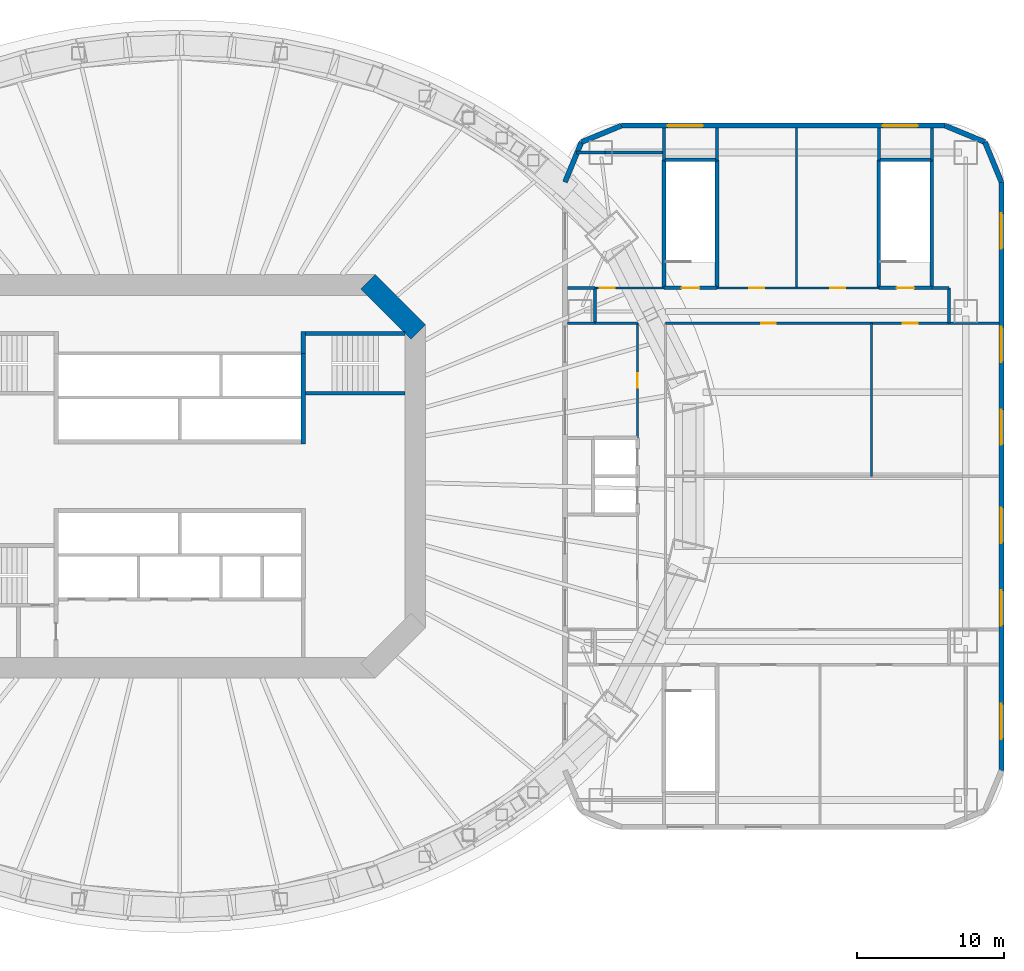
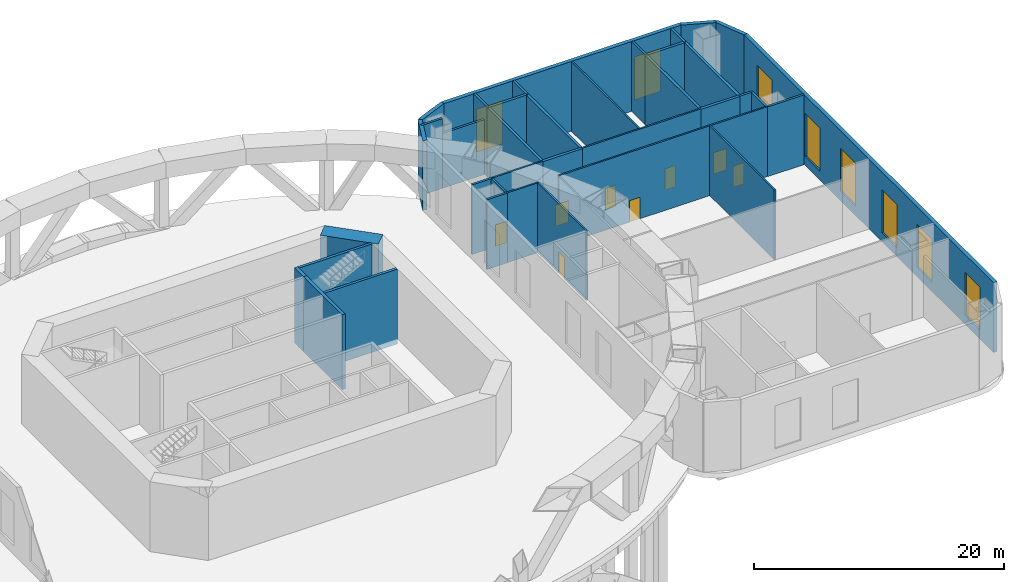
# One storey, part 11 of 13: 38 walls, 8 doors, 8 windows, 16 openings.
"""IFC4 building model written with IfcOpenShell, lengths in metres."""

from ifc_helpers import new_model, si_unit, direction, frame, frame_2d, origin, place, context, subcontext, project, spatial, rectangle, extrude, material, layer, layer_set, type_object, element, fill, save


model = new_model("IFC4")

# Units and contexts
model_context = context("Model", 3, precision=1e-05, world=origin(), true_north=direction((0.0, 1.0)))
body_context = subcontext(model_context, "Body", "Model", "MODEL_VIEW")
ifc_project = project(units=[si_unit("LENGTHUNIT", "METRE"), si_unit("AREAUNIT", "SQUARE_METRE"), si_unit("VOLUMEUNIT", "CUBIC_METRE"), si_unit("PLANEANGLEUNIT", "RADIAN"), si_unit("MASSUNIT", "GRAM", prefix="KILO")], contexts=[model_context])

# Site, building, storey
site_placement = place(None, origin())
site = spatial("IfcSite", under=ifc_project, at=site_placement, CompositionType="ELEMENT")
building_placement = place(site_placement, origin())
building = spatial("IfcBuilding", under=site, at=building_placement, Name="Marenthal Gate Tower", CompositionType="ELEMENT")
storey_placement = place(building_placement, frame((0.0, 0.0, 26.0)))
storey = spatial("IfcBuildingStorey", under=building, at=storey_placement, Name="L03", CompositionType="ELEMENT", Elevation=26.0)

# Walls
ifc_material_1 = material(Name="Concrete 60 MPa", Category="concrete")
ifc_layer_1 = layer(ifc_material_1, 1.39990234375)
ifc_layer_set_1 = layer_set([ifc_layer_1], Name="Core shear wall 1400")
wall_type_1 = type_object("IfcWallType", Name="Core shear wall 1400", PredefinedType="SHEAR", material=ifc_layer_set_1)
wall_1_placement = place(storey_placement, frame((16.205078125, 9.794921875, -0.5), z_axis=(0.0, 0.0, 1.0), x_axis=(-0.707106781187, 0.707106781187, 0.0)))
element("IfcWall", 1, at=wall_1_placement, inside=storey, type_object=wall_type_1, Name="Core wall 03", PredefinedType="SHEAR", context=body_context, shape_type="SweptSolid", body=[
    extrude(rectangle(XDim=4.82275390625, YDim=1.39990234375, at=frame_2d((2.411376953125, 0.0))), origin(), (0.0, 0.0, 1.0), 7.320068359375),
])
ifc_material_2 = material(Name="Concrete 50 MPa", Category="concrete")
ifc_layer_2 = layer(ifc_material_2, 0.300048828125)
ifc_layer_set_2 = layer_set([ifc_layer_2], Name="Hoistway shear wall 300")
wall_type_2 = type_object("IfcWallType", Name="Hoistway shear wall 300", PredefinedType="SHEAR", material=ifc_layer_set_2)
wall_2_placement = place(storey_placement, frame((8.39990234375, 2.199951171875, -0.5), z_axis=(0.0, 0.0, 1.0), x_axis=(0.0, 1.0, 0.0)))
element("IfcWall", 2, at=wall_2_placement, inside=storey, type_object=wall_type_2, Name="Hoistway wall 34", PredefinedType="SHEAR", context=body_context, shape_type="SweptSolid", body=[
    extrude(rectangle(XDim=6.150146484375, YDim=0.300048828125, at=frame_2d((3.0751953125, 0.0))), origin(), (0.0, 0.0, 1.0), 7.320068359375),
])
ifc_material_3 = material(Name="Gypsum board on steel studs", Category="steel")
ifc_layer_3 = layer(ifc_material_3, 0.14990234375)
ifc_layer_set_3 = layer_set([ifc_layer_3], Name="Partition 150")
wall_type_3 = type_object("IfcWallType", Name="Partition 150", PredefinedType="PARTITIONING", material=ifc_layer_set_3)
wall_3_placement = place(storey_placement, frame((28.199951171875, 10.39990234375, 0.0), z_axis=(0.0, 0.0, 1.0), x_axis=(1.0, 0.0, 0.0)))
element("IfcWall", 3, at=wall_3_placement, inside=storey, type_object=wall_type_3, Name="Partition wall 58", PredefinedType="PARTITIONING", context=body_context, shape_type="SweptSolid", body=[
    extrude(rectangle(XDim=2.905029296875, YDim=0.14990234375, at=frame_2d((1.45263671875, 0.0))), origin(), (0.0, 0.0, 1.0), 6.820068359375),
])

# Wall, openings, doors
wall_4_placement = place(storey_placement, frame((32.9951171875, 10.39990234375, 0.0), z_axis=(0.0, 0.0, 1.0), x_axis=(1.0, 0.0, 0.0)))
wall_4 = element("IfcWall", 4, at=wall_4_placement, inside=storey, type_object=wall_type_3, Name="Partition wall 59", PredefinedType="PARTITIONING", context=body_context, shape_type="SweptSolid", body=[
    extrude(rectangle(XDim=19.2548828125, YDim=0.14990234375, at=frame_2d((9.62744140625, 0.0))), origin(), (0.0, 0.0, 1.0), 6.820068359375),
])
opening_1_placement = place(wall_4_placement, frame((6.5048828125, 0.0, 0.0)))
opening_1 = element("IfcOpeningElement", 5, at=opening_1_placement, cuts=wall_4, Name="Opening D005.03", PredefinedType="OPENING", context=body_context, shape_type="SweptSolid", body=[
    extrude(rectangle(XDim=1.0, YDim=2.10009765625, at=frame_2d((0.5, 1.050048828125))), frame((0.0, 0.0849609375, 0.0), z_axis=(0.0, -1.0, 0.0), x_axis=(1.0, 0.0, 0.0)), (0.0, 0.0, 1.0), 0.169921875),
])
opening_2_placement = place(wall_4_placement, frame((16.132568359375, 0.0, 0.0)))
opening_2 = element("IfcOpeningElement", 6, at=opening_2_placement, cuts=wall_4, Name="Opening D005.04", PredefinedType="OPENING", context=body_context, shape_type="SweptSolid", body=[
    extrude(rectangle(XDim=1.0, YDim=2.10009765625, at=frame_2d((0.5, 1.050048828125))), frame((0.0, 0.0849609375, 0.0), z_axis=(0.0, -1.0, 0.0), x_axis=(1.0, 0.0, 0.0)), (0.0, 0.0, 1.0), 0.169921875),
])
ifc_material_4 = material(Name="Steel fire door", Category="steel")
door_type_1 = type_object("IfcDoorType", Name="Fire door FD 45 1000 x 2100", OperationType="NOTDEFINED", PredefinedType="DOOR", material=ifc_material_4)
door_1_placement = place(opening_1_placement, frame((1.0, 0.0, 0.0), z_axis=(0.0, 0.0, 1.0), x_axis=(-1.0, 0.0, 0.0)))
door_1 = element("IfcDoor", 7, at=door_1_placement, inside=storey, type_object=door_type_1, Name="Door D005.03", OperationType="SINGLE_SWING_LEFT", OverallHeight=2.10009765625, OverallWidth=1.0, PredefinedType="DOOR", context=body_context, shape_type="SweptSolid", body=[
    extrude(rectangle(XDim=1.0, YDim=2.10009765625, at=frame_2d((0.5, 1.050048828125))), frame((0.0, 0.02490234375, 0.0), z_axis=(0.0, -1.0, 0.0), x_axis=(1.0, 0.0, 0.0)), (0.0, 0.0, 1.0), 0.050048828125),
])
fill(opening_1, door_1)
door_2_placement = place(opening_2_placement, frame((1.0, 0.0, 0.0), z_axis=(0.0, 0.0, 1.0), x_axis=(-1.0, 0.0, 0.0)))
door_2 = element("IfcDoor", 8, at=door_2_placement, inside=storey, type_object=door_type_1, Name="Door D005.04", OperationType="SINGLE_SWING_LEFT", OverallHeight=2.10009765625, OverallWidth=1.0, PredefinedType="DOOR", context=body_context, shape_type="SweptSolid", body=[
    extrude(rectangle(XDim=1.0, YDim=2.10009765625, at=frame_2d((0.5, 1.050048828125))), frame((0.0, 0.02490234375, 0.0), z_axis=(0.0, -1.0, 0.0), x_axis=(1.0, 0.0, 0.0)), (0.0, 0.0, 1.0), 0.050048828125),
])
fill(opening_2, door_2)

# Wall, opening, door
wall_5_placement = place(storey_placement, frame((28.199951171875, 12.800048828125, 0.0), z_axis=(0.0, 0.0, 1.0), x_axis=(1.0, 0.0, 0.0)))
wall_5 = element("IfcWall", 9, at=wall_5_placement, inside=storey, type_object=wall_type_3, Name="Partition wall 62", PredefinedType="PARTITIONING", context=body_context, shape_type="SweptSolid", body=[
    extrude(rectangle(XDim=4.705078125, YDim=0.14990234375, at=frame_2d((2.3525390625, 0.0))), origin(), (0.0, 0.0, 1.0), 6.820068359375),
])
opening_3_placement = place(wall_5_placement, frame((0.347412109375, 0.0, 0.0)))
opening_3 = element("IfcOpeningElement", 10, at=opening_3_placement, cuts=wall_5, Name="Opening D005.10", PredefinedType="OPENING", context=body_context, shape_type="SweptSolid", body=[
    extrude(rectangle(XDim=1.0, YDim=2.10009765625, at=frame_2d((0.5, 1.050048828125))), frame((0.0, 0.0849609375, 0.0), z_axis=(0.0, -1.0, 0.0), x_axis=(1.0, 0.0, 0.0)), (0.0, 0.0, 1.0), 0.169921875),
])
door_3_placement = place(opening_3_placement, origin())
door_3 = element("IfcDoor", 11, at=door_3_placement, inside=storey, type_object=door_type_1, Name="Door D005.10", OperationType="SINGLE_SWING_RIGHT", OverallHeight=2.10009765625, OverallWidth=1.0, PredefinedType="DOOR", context=body_context, shape_type="SweptSolid", body=[
    extrude(rectangle(XDim=1.0, YDim=2.10009765625, at=frame_2d((0.5, 1.050048828125))), frame((0.0, 0.02490234375, 0.0), z_axis=(0.0, -1.0, 0.0), x_axis=(1.0, 0.0, 0.0)), (0.0, 0.0, 1.0), 0.050048828125),
])
fill(opening_3, door_3)

# Wall, openings, doors
wall_6_placement = place(storey_placement, frame((36.4951171875, 12.800048828125, 0.0), z_axis=(0.0, 0.0, 1.0), x_axis=(1.0, 0.0, 0.0)))
wall_6 = element("IfcWall", 12, at=wall_6_placement, inside=storey, type_object=wall_type_3, Name="Partition wall 63", PredefinedType="PARTITIONING", context=body_context, shape_type="SweptSolid", body=[
    extrude(rectangle(XDim=11.009765625, YDim=0.14990234375, at=frame_2d((5.5048828125, 0.0))), origin(), (0.0, 0.0, 1.0), 6.820068359375),
])
opening_4_placement = place(wall_6_placement, frame((2.205078125, 0.0, 0.0)))
opening_4 = element("IfcOpeningElement", 13, at=opening_4_placement, cuts=wall_6, Name="Opening D005.01", PredefinedType="OPENING", context=body_context, shape_type="SweptSolid", body=[
    extrude(rectangle(XDim=1.0, YDim=2.10009765625, at=frame_2d((0.5, 1.050048828125))), frame((0.0, 0.0849609375, 0.0), z_axis=(0.0, -1.0, 0.0), x_axis=(1.0, 0.0, 0.0)), (0.0, 0.0, 1.0), 0.169921875),
])
opening_5_placement = place(wall_6_placement, frame((7.705078125, 0.0, 0.0)))
opening_5 = element("IfcOpeningElement", 14, at=opening_5_placement, cuts=wall_6, Name="Opening D005.02", PredefinedType="OPENING", context=body_context, shape_type="SweptSolid", body=[
    extrude(rectangle(XDim=1.0, YDim=2.10009765625, at=frame_2d((0.5, 1.050048828125))), frame((0.0, 0.0849609375, 0.0), z_axis=(0.0, -1.0, 0.0), x_axis=(1.0, 0.0, 0.0)), (0.0, 0.0, 1.0), 0.169921875),
])
door_4_placement = place(opening_4_placement, origin())
door_4 = element("IfcDoor", 15, at=door_4_placement, inside=storey, type_object=door_type_1, Name="Door D005.01", OperationType="SINGLE_SWING_RIGHT", OverallHeight=2.10009765625, OverallWidth=1.0, PredefinedType="DOOR", context=body_context, shape_type="SweptSolid", body=[
    extrude(rectangle(XDim=1.0, YDim=2.10009765625, at=frame_2d((0.5, 1.050048828125))), frame((0.0, 0.02490234375, 0.0), z_axis=(0.0, -1.0, 0.0), x_axis=(1.0, 0.0, 0.0)), (0.0, 0.0, 1.0), 0.050048828125),
])
fill(opening_4, door_4)
door_5_placement = place(opening_5_placement, origin())
door_5 = element("IfcDoor", 16, at=door_5_placement, inside=storey, type_object=door_type_1, Name="Door D005.02", OperationType="SINGLE_SWING_RIGHT", OverallHeight=2.10009765625, OverallWidth=1.0, PredefinedType="DOOR", context=body_context, shape_type="SweptSolid", body=[
    extrude(rectangle(XDim=1.0, YDim=2.10009765625, at=frame_2d((0.5, 1.050048828125))), frame((0.0, 0.02490234375, 0.0), z_axis=(0.0, -1.0, 0.0), x_axis=(1.0, 0.0, 0.0)), (0.0, 0.0, 1.0), 0.050048828125),
])
fill(opening_5, door_5)

# Walls
wall_7_placement = place(storey_placement, frame((47.0, 0.0, 0.0), z_axis=(0.0, 0.0, 1.0), x_axis=(0.0, 1.0, 0.0)))
element("IfcWall", 17, at=wall_7_placement, inside=storey, type_object=wall_type_3, Name="Partition wall 64", PredefinedType="PARTITIONING", context=body_context, shape_type="SweptSolid", body=[
    extrude(rectangle(XDim=10.39990234375, YDim=0.14990234375, at=frame_2d((5.199951171875, 0.0))), origin(), (0.0, 0.0, 1.0), 6.820068359375),
])
wall_8_placement = place(storey_placement, frame((41.89990234375, 12.800048828125, 0.0), z_axis=(0.0, 0.0, 1.0), x_axis=(0.0, 1.0, 0.0)))
element("IfcWall", 18, at=wall_8_placement, inside=storey, type_object=wall_type_3, Name="Partition wall 66", PredefinedType="PARTITIONING", context=body_context, shape_type="SweptSolid", body=[
    extrude(rectangle(XDim=10.869873046875, YDim=0.14990234375, at=frame_2d((5.43505859375, 0.0))), origin(), (0.0, 0.0, 1.0), 6.820068359375),
])

# Wall, opening, door
wall_9_placement = place(storey_placement, frame((31.10009765625, 2.594970703125, 0.0), z_axis=(0.0, 0.0, 1.0), x_axis=(0.0, 1.0, 0.0)))
wall_9 = element("IfcWall", 19, at=wall_9_placement, inside=storey, type_object=wall_type_3, Name="Partition wall 69", PredefinedType="PARTITIONING", context=body_context, shape_type="SweptSolid", body=[
    extrude(rectangle(XDim=7.804931640625, YDim=0.14990234375, at=frame_2d((3.90234375, 0.0))), origin(), (0.0, 0.0, 1.0), 6.820068359375),
])
opening_6_placement = place(wall_9_placement, frame((3.405029296875, 0.0, 0.0)))
opening_6 = element("IfcOpeningElement", 20, at=opening_6_placement, cuts=wall_9, Name="Opening D005.08", PredefinedType="OPENING", context=body_context, shape_type="SweptSolid", body=[
    extrude(rectangle(XDim=1.0, YDim=2.10009765625, at=frame_2d((0.5, 1.050048828125))), frame((0.0, 0.0849609375, 0.0), z_axis=(0.0, -1.0, 0.0), x_axis=(1.0, 0.0, 0.0)), (0.0, 0.0, 1.0), 0.169921875),
])
door_6_placement = place(opening_6_placement, origin())
door_6 = element("IfcDoor", 21, at=door_6_placement, inside=storey, type_object=door_type_1, Name="Door D005.08", OperationType="SINGLE_SWING_RIGHT", OverallHeight=2.10009765625, OverallWidth=1.0, PredefinedType="DOOR", context=body_context, shape_type="SweptSolid", body=[
    extrude(rectangle(XDim=1.0, YDim=2.10009765625, at=frame_2d((0.5, 1.050048828125))), frame((0.0, 0.02490234375, 0.0), z_axis=(0.0, -1.0, 0.0), x_axis=(1.0, 0.0, 0.0)), (0.0, 0.0, 1.0), 0.050048828125),
])
fill(opening_6, door_6)

# Walls
ifc_material_5 = material(Name="Gypsum board on steel studs", Category="steel")
ifc_layer_4 = layer(ifc_material_5, 0.199951171875)
ifc_layer_set_4 = layer_set([ifc_layer_4], Name="Partition 200")
wall_type_4 = type_object("IfcWallType", Name="Partition 200", PredefinedType="PARTITIONING", material=ifc_layer_set_4)
wall_10_placement = place(storey_placement, frame((26.330078125, 10.39990234375, 0.0), z_axis=(0.0, 0.0, 1.0), x_axis=(1.0, 0.0, 0.0)))
element("IfcWall", 22, at=wall_10_placement, inside=storey, type_object=wall_type_4, Name="Partition wall 92", PredefinedType="PARTITIONING", context=body_context, shape_type="SweptSolid", body=[
    extrude(rectangle(XDim=1.873779296875, YDim=0.199951171875, at=frame_2d((0.93701171875, 0.0))), origin(), (0.0, 0.0, 1.0), 6.820068359375),
])
wall_11_placement = place(storey_placement, frame((52.2451171875, 10.39990234375, 0.0), z_axis=(0.0, 0.0, 1.0), x_axis=(1.0, 0.0, 0.0)))
element("IfcWall", 23, at=wall_11_placement, inside=storey, type_object=wall_type_4, Name="Partition wall 93", PredefinedType="PARTITIONING", context=body_context, shape_type="SweptSolid", body=[
    extrude(rectangle(XDim=3.4248046875, YDim=0.199951171875, at=frame_2d((1.71240234375, 0.0))), origin(), (0.0, 0.0, 1.0), 6.820068359375),
])
wall_12_placement = place(storey_placement, frame((26.330078125, 12.800048828125, 0.0), z_axis=(0.0, 0.0, 1.0), x_axis=(1.0, 0.0, 0.0)))
element("IfcWall", 24, at=wall_12_placement, inside=storey, type_object=wall_type_4, Name="Partition wall 96", PredefinedType="PARTITIONING", context=body_context, shape_type="SweptSolid", body=[
    extrude(rectangle(XDim=1.873779296875, YDim=0.199951171875, at=frame_2d((0.93701171875, 0.0))), origin(), (0.0, 0.0, 1.0), 6.820068359375),
])
wall_13_placement = place(storey_placement, frame((51.094970703125, 12.800048828125, 0.0), z_axis=(0.0, 0.0, 1.0), x_axis=(1.0, 0.0, 0.0)))
element("IfcWall", 25, at=wall_13_placement, inside=storey, type_object=wall_type_4, Name="Partition wall 97", PredefinedType="PARTITIONING", context=body_context, shape_type="SweptSolid", body=[
    extrude(rectangle(XDim=1.155029296875, YDim=0.199951171875, at=frame_2d((0.57763671875, 0.0))), origin(), (0.0, 0.0, 1.0), 6.820068359375),
])
wall_14_placement = place(storey_placement, frame((26.951904296875, 22.0, 0.0), z_axis=(0.0, 0.0, 1.0), x_axis=(1.0, 0.0, 0.0)))
element("IfcWall", 26, at=wall_14_placement, inside=storey, type_object=wall_type_4, Name="Partition wall 99", PredefinedType="PARTITIONING", context=body_context, shape_type="SweptSolid", body=[
    extrude(rectangle(XDim=1.947998046875, YDim=0.199951171875, at=frame_2d((0.97412109375, 0.0))), origin(), (0.0, 0.0, 1.0), 6.820068359375),
])
wall_15_placement = place(storey_placement, frame((28.89990234375, 22.0, 0.0), z_axis=(0.0, 0.0, 1.0), x_axis=(1.0, 0.0, 0.0)))
element("IfcWall", 27, at=wall_15_placement, inside=storey, type_object=wall_type_4, Name="Partition wall 153", PredefinedType="PARTITIONING", context=body_context, shape_type="SweptSolid", body=[
    extrude(rectangle(XDim=4.0, YDim=0.199951171875, at=frame_2d((2.0, 0.0))), origin(), (0.0, 0.0, 1.0), 5.360107421875),
])
wall_16_placement = place(storey_placement, frame((52.25, 10.39990234375, 0.0), z_axis=(0.0, 0.0, 1.0), x_axis=(0.0, 1.0, 0.0)))
element("IfcWall", 28, at=wall_16_placement, inside=storey, type_object=wall_type_4, Name="Partition wall 02", PredefinedType="PARTITIONING", context=body_context, shape_type="SweptSolid", body=[
    extrude(rectangle(XDim=2.400146484375, YDim=0.199951171875, at=frame_2d((1.2001953125, 0.0))), origin(), (0.0, 0.0, 1.0), 6.820068359375),
])
for number, where, z_axis, x_axis, name in (
    (29, (51.10009765625, 21.49609375, 0.0), (0.0, 0.0, 1.0), (0.0, 1.0, 0.0), "Partition wall 03"),
    (30, (47.5, 21.49609375, 0.0), (0.0, 0.0, 1.0), (0.0, 1.0, 0.0), "Partition wall 04"),
    (31, (36.5, 21.49609375, 0.0), (0.0, 0.0, 1.0), (0.0, 1.0, 0.0), "Partition wall 06"),
    (32, (32.89990234375, 21.49609375, 0.0), (0.0, 0.0, 1.0), (0.0, 1.0, 0.0), "Partition wall 08"),
):
    element("IfcWall", number, at=place(storey_placement, frame(where, z_axis=z_axis, x_axis=x_axis)), inside=storey, type_object=wall_type_4, Name=name, PredefinedType="PARTITIONING", context=body_context, shape_type="SweptSolid", body=[
        extrude(rectangle(XDim=2.173828125, YDim=0.199951171875, at=frame_2d((1.0869140625, 0.0))), origin(), (0.0, 0.0, 1.0), 6.820068359375),
    ])
wall_17_placement = place(storey_placement, frame((28.199951171875, 10.39990234375, 0.0), z_axis=(0.0, 0.0, 1.0), x_axis=(0.0, 1.0, 0.0)))
element("IfcWall", 33, at=wall_17_placement, inside=storey, type_object=wall_type_4, Name="Partition wall 10", PredefinedType="PARTITIONING", context=body_context, shape_type="SweptSolid", body=[
    extrude(rectangle(XDim=2.400146484375, YDim=0.199951171875, at=frame_2d((1.2001953125, 0.0))), origin(), (0.0, 0.0, 1.0), 6.820068359375),
])
ifc_material_6 = material(Name="Concrete 50 MPa", Category="concrete")
ifc_layer_5 = layer(ifc_material_6, 0.25)
ifc_layer_set_5 = layer_set([ifc_layer_5], Name="Stair shear wall 250")
wall_type_5 = type_object("IfcWallType", Name="Stair shear wall 250", PredefinedType="SHEAR", material=ifc_layer_set_5)
for number, where, z_axis, x_axis, name in (
    (34, (8.550048828125, 5.64990234375, -0.5), (0.0, 0.0, 1.0), (1.0, 0.0, 0.0), "Stair wall 17"),
    (35, (8.550048828125, 9.699951171875, -0.5), (0.0, 0.0, 1.0), (1.0, 0.0, 0.0), "Stair wall 20"),
):
    element("IfcWall", number, at=place(storey_placement, frame(where, z_axis=z_axis, x_axis=x_axis)), inside=storey, type_object=wall_type_5, Name=name, PredefinedType="SHEAR", context=body_context, shape_type="SweptSolid", body=[
        extrude(rectangle(XDim=6.75, YDim=0.25, at=frame_2d((3.375, 0.0))), origin(), (0.0, 0.0, 1.0), 7.320068359375),
    ])

# Wall, opening, door
wall_18_placement = place(storey_placement, frame((32.89501953125, 12.800048828125, 0.0), z_axis=(0.0, 0.0, 1.0), x_axis=(1.0, 0.0, 0.0)))
wall_18 = element("IfcWall", 36, at=wall_18_placement, inside=storey, type_object=wall_type_5, Name="Stair wall 28", PredefinedType="SHEAR", context=body_context, shape_type="SweptSolid", body=[
    extrude(rectangle(XDim=3.60986328125, YDim=0.25, at=frame_2d((1.804931640625, 0.0))), origin(), (0.0, 0.0, 1.0), 6.820068359375),
])
opening_7_placement = place(wall_18_placement, frame((1.205078125, 0.0, 0.0)))
opening_7 = element("IfcOpeningElement", 37, at=opening_7_placement, cuts=wall_18, Name="Opening D001.02", PredefinedType="OPENING", context=body_context, shape_type="SweptSolid", body=[
    extrude(rectangle(XDim=1.199951171875, YDim=2.10009765625, at=frame_2d((0.60009765625, 1.050048828125))), frame((0.0, 0.135009765625, 0.0), z_axis=(0.0, -1.0, 0.0), x_axis=(1.0, 0.0, 0.0)), (0.0, 0.0, 1.0), 0.27001953125),
])
ifc_material_7 = material(Name="Steel fire door", Category="steel")
door_type_2 = type_object("IfcDoorType", Name="Fire door FD 90 1200 x 2100", OperationType="NOTDEFINED", PredefinedType="DOOR", material=ifc_material_7)
door_7_placement = place(opening_7_placement, origin())
door_7 = element("IfcDoor", 38, at=door_7_placement, inside=storey, type_object=door_type_2, Name="Door D001.02", OperationType="SINGLE_SWING_RIGHT", OverallHeight=2.10009765625, OverallWidth=1.199951171875, PredefinedType="DOOR", context=body_context, shape_type="SweptSolid", body=[
    extrude(rectangle(XDim=1.199951171875, YDim=2.10009765625, at=frame_2d((0.60009765625, 1.050048828125))), frame((0.0, 0.02490234375, 0.0), z_axis=(0.0, -1.0, 0.0), x_axis=(1.0, 0.0, 0.0)), (0.0, 0.0, 1.0), 0.050048828125),
])
fill(opening_7, door_7)

wall_19_placement = place(storey_placement, frame((47.4951171875, 12.800048828125, 0.0), z_axis=(0.0, 0.0, 1.0), x_axis=(1.0, 0.0, 0.0)))
wall_19 = element("IfcWall", 39, at=wall_19_placement, inside=storey, type_object=wall_type_5, Name="Stair wall 29", PredefinedType="SHEAR", context=body_context, shape_type="SweptSolid", body=[
    extrude(rectangle(XDim=3.60986328125, YDim=0.25, at=frame_2d((1.804931640625, 0.0))), origin(), (0.0, 0.0, 1.0), 6.820068359375),
])
opening_8_placement = place(wall_19_placement, frame((1.205078125, 0.0, 0.0)))
opening_8 = element("IfcOpeningElement", 40, at=opening_8_placement, cuts=wall_19, Name="Opening D001.04", PredefinedType="OPENING", context=body_context, shape_type="SweptSolid", body=[
    extrude(rectangle(XDim=1.199951171875, YDim=2.10009765625, at=frame_2d((0.60009765625, 1.050048828125))), frame((0.0, 0.135009765625, 0.0), z_axis=(0.0, -1.0, 0.0), x_axis=(1.0, 0.0, 0.0)), (0.0, 0.0, 1.0), 0.27001953125),
])
door_8_placement = place(opening_8_placement, origin())
door_8 = element("IfcDoor", 41, at=door_8_placement, inside=storey, type_object=door_type_2, Name="Door D001.04", OperationType="SINGLE_SWING_RIGHT", OverallHeight=2.10009765625, OverallWidth=1.199951171875, PredefinedType="DOOR", context=body_context, shape_type="SweptSolid", body=[
    extrude(rectangle(XDim=1.199951171875, YDim=2.10009765625, at=frame_2d((0.60009765625, 1.050048828125))), frame((0.0, 0.02490234375, 0.0), z_axis=(0.0, -1.0, 0.0), x_axis=(1.0, 0.0, 0.0)), (0.0, 0.0, 1.0), 0.050048828125),
])
fill(opening_8, door_8)

# Walls
for number, where, z_axis, x_axis, name in (
    (42, (32.89990234375, 21.5, 0.0), (0.0, 0.0, 1.0), (1.0, 0.0, 0.0), "Stair wall 32"),
    (43, (47.5, 21.5, 0.0), (0.0, 0.0, 1.0), (1.0, 0.0, 0.0), "Stair wall 33"),
):
    element("IfcWall", number, at=place(storey_placement, frame(where, z_axis=z_axis, x_axis=x_axis)), inside=storey, type_object=wall_type_5, Name=name, PredefinedType="SHEAR", context=body_context, shape_type="SweptSolid", body=[
        extrude(rectangle(XDim=3.60009765625, YDim=0.25, at=frame_2d((1.800048828125, 0.0))), origin(), (0.0, 0.0, 1.0), 6.820068359375),
    ])
for number, where, z_axis, x_axis, name in (
    (44, (51.10009765625, 12.800048828125, 0.0), (0.0, 0.0, 1.0), (0.0, 1.0, 0.0), "Stair wall 34"),
    (45, (47.5, 12.800048828125, 0.0), (0.0, 0.0, 1.0), (0.0, 1.0, 0.0), "Stair wall 35"),
    (46, (36.5, 12.800048828125, 0.0), (0.0, 0.0, 1.0), (0.0, 1.0, 0.0), "Stair wall 37"),
    (47, (32.89990234375, 12.800048828125, 0.0), (0.0, 0.0, 1.0), (0.0, 1.0, 0.0), "Stair wall 39"),
):
    element("IfcWall", number, at=place(storey_placement, frame(where, z_axis=z_axis, x_axis=x_axis)), inside=storey, type_object=wall_type_5, Name=name, PredefinedType="SHEAR", context=body_context, shape_type="SweptSolid", body=[
        extrude(rectangle(XDim=8.699951171875, YDim=0.25, at=frame_2d((4.35009765625, 0.0))), origin(), (0.0, 0.0, 1.0), 6.820068359375),
    ])
ifc_material_8 = material(Name="Concrete 50 MPa", Category="concrete")
ifc_layer_6 = layer(ifc_material_8, 0.300048828125)
ifc_layer_set_6 = layer_set([ifc_layer_6], Name="Stair shear wall 300")
wall_type_6 = type_object("IfcWallType", Name="Stair shear wall 300", PredefinedType="SHEAR", material=ifc_layer_set_6)
wall_20_placement = place(storey_placement, frame((8.39990234375, 8.35009765625, -0.5), z_axis=(0.0, 0.0, 1.0), x_axis=(0.0, 1.0, 0.0)))
element("IfcWall", 48, at=wall_20_placement, inside=storey, type_object=wall_type_6, Name="Stair wall 35", PredefinedType="SHEAR", context=body_context, shape_type="SweptSolid", body=[
    extrude(rectangle(XDim=1.474853515625, YDim=0.300048828125, at=frame_2d((0.7373046875, 0.0))), origin(), (0.0, 0.0, 1.0), 7.320068359375),
])

# Wall, openings, windows
ifc_material_9 = material(Name="Terracotta cladding on insulated concrete-block backing", Category="masonry")
ifc_layer_7 = layer(ifc_material_9, 0.35009765625)
ifc_layer_set_7 = layer_set([ifc_layer_7], Name="Terracotta cladding wall 350")
wall_type_7 = type_object("IfcWallType", Name="Terracotta cladding wall 350", PredefinedType="SOLIDWALL", material=ifc_layer_set_7)
wall_21_placement = place(storey_placement, frame((55.824951171875, -19.988525390625, 0.0), z_axis=(0.0, 0.0, 1.0), x_axis=(0.0, 1.0, 0.0)))
wall_21 = element("IfcWall", 49, at=wall_21_placement, inside=storey, type_object=wall_type_7, Name="Terracotta cladding wall L03 E3", PredefinedType="SOLIDWALL", context=body_context, shape_type="SweptSolid", body=[
    extrude(rectangle(XDim=39.97705078125, YDim=0.35009765625, at=frame_2d((19.988525390625, 0.0))), origin(), (0.0, 0.0, 1.0), 6.820068359375),
])
opening_9_placement = place(wall_21_placement, frame((2.13134765625, 0.0, 0.89990234375)))
opening_9 = element("IfcOpeningElement", 50, at=opening_9_placement, cuts=wall_21, Name="Opening WN4-L03-33", PredefinedType="OPENING", context=body_context, shape_type="SweptSolid", body=[
    extrude(rectangle(XDim=2.39990234375, YDim=4.199951171875, at=frame_2d((1.199951171875, 2.10009765625))), frame((0.0, 0.18505859375, 0.0), z_axis=(0.0, -1.0, 0.0), x_axis=(1.0, 0.0, 0.0)), (0.0, 0.0, 1.0), 0.3701171875),
])
opening_10_placement = place(wall_21_placement, frame((9.83837890625, 0.0, 0.89990234375)))
opening_10 = element("IfcOpeningElement", 51, at=opening_10_placement, cuts=wall_21, Name="Opening WN4-L03-34", PredefinedType="OPENING", context=body_context, shape_type="SweptSolid", body=[
    extrude(rectangle(XDim=2.39990234375, YDim=4.199951171875, at=frame_2d((1.199951171875, 2.10009765625))), frame((0.0, 0.18505859375, 0.0), z_axis=(0.0, -1.0, 0.0), x_axis=(1.0, 0.0, 0.0)), (0.0, 0.0, 1.0), 0.3701171875),
])
opening_11_placement = place(wall_21_placement, frame((15.45703125, 0.0, 0.89990234375)))
opening_11 = element("IfcOpeningElement", 52, at=opening_11_placement, cuts=wall_21, Name="Opening WN4-L03-35", PredefinedType="OPENING", context=body_context, shape_type="SweptSolid", body=[
    extrude(rectangle(XDim=2.39990234375, YDim=4.199951171875, at=frame_2d((1.199951171875, 2.10009765625))), frame((0.0, 0.18505859375, 0.0), z_axis=(0.0, -1.0, 0.0), x_axis=(1.0, 0.0, 0.0)), (0.0, 0.0, 1.0), 0.3701171875),
])
opening_12_placement = place(wall_21_placement, frame((22.119873046875, 0.0, 0.89990234375)))
opening_12 = element("IfcOpeningElement", 53, at=opening_12_placement, cuts=wall_21, Name="Opening WN4-L03-36", PredefinedType="OPENING", context=body_context, shape_type="SweptSolid", body=[
    extrude(rectangle(XDim=2.39990234375, YDim=4.199951171875, at=frame_2d((1.199951171875, 2.10009765625))), frame((0.0, 0.18505859375, 0.0), z_axis=(0.0, -1.0, 0.0), x_axis=(1.0, 0.0, 0.0)), (0.0, 0.0, 1.0), 0.3701171875),
])
opening_13_placement = place(wall_21_placement, frame((27.738525390625, 0.0, 0.89990234375)))
opening_13 = element("IfcOpeningElement", 54, at=opening_13_placement, cuts=wall_21, Name="Opening WN4-L03-37", PredefinedType="OPENING", context=body_context, shape_type="SweptSolid", body=[
    extrude(rectangle(XDim=2.39990234375, YDim=4.199951171875, at=frame_2d((1.199951171875, 2.10009765625))), frame((0.0, 0.18505859375, 0.0), z_axis=(0.0, -1.0, 0.0), x_axis=(1.0, 0.0, 0.0)), (0.0, 0.0, 1.0), 0.3701171875),
])
opening_14_placement = place(wall_21_placement, frame((35.445556640625, 0.0, 0.89990234375)))
opening_14 = element("IfcOpeningElement", 55, at=opening_14_placement, cuts=wall_21, Name="Opening WN4-L03-38", PredefinedType="OPENING", context=body_context, shape_type="SweptSolid", body=[
    extrude(rectangle(XDim=2.39990234375, YDim=4.199951171875, at=frame_2d((1.199951171875, 2.10009765625))), frame((0.0, 0.18505859375, 0.0), z_axis=(0.0, -1.0, 0.0), x_axis=(1.0, 0.0, 0.0)), (0.0, 0.0, 1.0), 0.3701171875),
])
ifc_material_10 = material(Name="Aluminium and laminated impact-rated glass", Category="aluminium")
window_type = type_object("IfcWindowType", Name="Window 2400x4200 impact-rated", PartitioningType="DOUBLE_PANEL_VERTICAL", PredefinedType="WINDOW", material=ifc_material_10)
window_1_placement = place(opening_9_placement, origin())
window_1 = element("IfcWindow", 56, at=window_1_placement, inside=storey, type_object=window_type, Name="Window L03 E3 1", OverallHeight=4.199951171875, OverallWidth=2.39990234375, PartitioningType="SINGLE_PANEL", PredefinedType="WINDOW", context=body_context, shape_type="SweptSolid", body=[
    extrude(rectangle(XDim=2.39990234375, YDim=4.199951171875, at=frame_2d((1.199951171875, 2.10009765625))), frame((0.0, 0.030029296875, 0.0), z_axis=(0.0, -1.0, 0.0), x_axis=(1.0, 0.0, 0.0)), (0.0, 0.0, 1.0), 0.06005859375),
])
fill(opening_9, window_1)
window_2_placement = place(opening_10_placement, origin())
window_2 = element("IfcWindow", 57, at=window_2_placement, inside=storey, type_object=window_type, Name="Window L03 E3 2", OverallHeight=4.199951171875, OverallWidth=2.39990234375, PartitioningType="SINGLE_PANEL", PredefinedType="WINDOW", context=body_context, shape_type="SweptSolid", body=[
    extrude(rectangle(XDim=2.39990234375, YDim=4.199951171875, at=frame_2d((1.199951171875, 2.10009765625))), frame((0.0, 0.030029296875, 0.0), z_axis=(0.0, -1.0, 0.0), x_axis=(1.0, 0.0, 0.0)), (0.0, 0.0, 1.0), 0.06005859375),
])
fill(opening_10, window_2)
window_3_placement = place(opening_11_placement, origin())
window_3 = element("IfcWindow", 58, at=window_3_placement, inside=storey, type_object=window_type, Name="Window L03 E3 3", OverallHeight=4.199951171875, OverallWidth=2.39990234375, PartitioningType="SINGLE_PANEL", PredefinedType="WINDOW", context=body_context, shape_type="SweptSolid", body=[
    extrude(rectangle(XDim=2.39990234375, YDim=4.199951171875, at=frame_2d((1.199951171875, 2.10009765625))), frame((0.0, 0.030029296875, 0.0), z_axis=(0.0, -1.0, 0.0), x_axis=(1.0, 0.0, 0.0)), (0.0, 0.0, 1.0), 0.06005859375),
])
fill(opening_11, window_3)
window_4_placement = place(opening_12_placement, origin())
window_4 = element("IfcWindow", 59, at=window_4_placement, inside=storey, type_object=window_type, Name="Window L03 E3 4", OverallHeight=4.199951171875, OverallWidth=2.39990234375, PartitioningType="SINGLE_PANEL", PredefinedType="WINDOW", context=body_context, shape_type="SweptSolid", body=[
    extrude(rectangle(XDim=2.39990234375, YDim=4.199951171875, at=frame_2d((1.199951171875, 2.10009765625))), frame((0.0, 0.030029296875, 0.0), z_axis=(0.0, -1.0, 0.0), x_axis=(1.0, 0.0, 0.0)), (0.0, 0.0, 1.0), 0.06005859375),
])
fill(opening_12, window_4)
window_5_placement = place(opening_13_placement, origin())
window_5 = element("IfcWindow", 60, at=window_5_placement, inside=storey, type_object=window_type, Name="Window L03 E3 5", OverallHeight=4.199951171875, OverallWidth=2.39990234375, PartitioningType="SINGLE_PANEL", PredefinedType="WINDOW", context=body_context, shape_type="SweptSolid", body=[
    extrude(rectangle(XDim=2.39990234375, YDim=4.199951171875, at=frame_2d((1.199951171875, 2.10009765625))), frame((0.0, 0.030029296875, 0.0), z_axis=(0.0, -1.0, 0.0), x_axis=(1.0, 0.0, 0.0)), (0.0, 0.0, 1.0), 0.06005859375),
])
fill(opening_13, window_5)
window_6_placement = place(opening_14_placement, origin())
window_6 = element("IfcWindow", 61, at=window_6_placement, inside=storey, type_object=window_type, Name="Window L03 E3 6", OverallHeight=4.199951171875, OverallWidth=2.39990234375, PartitioningType="SINGLE_PANEL", PredefinedType="WINDOW", context=body_context, shape_type="SweptSolid", body=[
    extrude(rectangle(XDim=2.39990234375, YDim=4.199951171875, at=frame_2d((1.199951171875, 2.10009765625))), frame((0.0, 0.030029296875, 0.0), z_axis=(0.0, -1.0, 0.0), x_axis=(1.0, 0.0, 0.0)), (0.0, 0.0, 1.0), 0.06005859375),
])
fill(opening_14, window_6)

# Walls
for number, where, z_axis, x_axis, name in (
    (62, (55.824951171875, 19.988525390625, 0.0), (0.0, 0.0, 1.0), (-0.381727741993, 0.924274813566, 0.0), "Terracotta cladding wall L03 E4"),
    (63, (54.70361328125, 22.70361328125, 0.0), (0.0, 0.0, 1.0), (-0.924274813566, 0.381727741993, 0.0), "Terracotta cladding wall L03 E5"),
):
    element("IfcWall", number, at=place(storey_placement, frame(where, z_axis=z_axis, x_axis=x_axis)), inside=storey, type_object=wall_type_7, Name=name, PredefinedType="SOLIDWALL", context=body_context, shape_type="SweptSolid", body=[
        extrude(rectangle(XDim=2.9375, YDim=0.35009765625, at=frame_2d((1.46875, 0.0))), origin(), (0.0, 0.0, 1.0), 6.820068359375),
    ])

# Wall, openings, windows
wall_22_placement = place(storey_placement, frame((51.988525390625, 23.824951171875, 0.0), z_axis=(0.0, 0.0, 1.0), x_axis=(-1.0, 0.0, 0.0)))
wall_22 = element("IfcWall", 64, at=wall_22_placement, inside=storey, type_object=wall_type_7, Name="Terracotta cladding wall L03 E6", PredefinedType="SOLIDWALL", context=body_context, shape_type="SweptSolid", body=[
    extrude(rectangle(XDim=21.97705078125, YDim=0.35009765625, at=frame_2d((10.988525390625, 0.0))), origin(), (0.0, 0.0, 1.0), 6.820068359375),
])
opening_15_placement = place(wall_22_placement, frame((1.83837890625, 0.0, 0.89990234375)))
opening_15 = element("IfcOpeningElement", 65, at=opening_15_placement, cuts=wall_22, Name="Opening WN4-L03-39", PredefinedType="OPENING", context=body_context, shape_type="SweptSolid", body=[
    extrude(rectangle(XDim=2.39990234375, YDim=4.199951171875, at=frame_2d((1.199951171875, 2.10009765625))), frame((0.0, 0.18505859375, 0.0), z_axis=(0.0, -1.0, 0.0), x_axis=(1.0, 0.0, 0.0)), (0.0, 0.0, 1.0), 0.3701171875),
])
opening_16_placement = place(wall_22_placement, frame((16.4384765625, 0.0, 0.89990234375)))
opening_16 = element("IfcOpeningElement", 66, at=opening_16_placement, cuts=wall_22, Name="Opening WN4-L03-40", PredefinedType="OPENING", context=body_context, shape_type="SweptSolid", body=[
    extrude(rectangle(XDim=2.39990234375, YDim=4.199951171875, at=frame_2d((1.199951171875, 2.10009765625))), frame((0.0, 0.18505859375, 0.0), z_axis=(0.0, -1.0, 0.0), x_axis=(1.0, 0.0, 0.0)), (0.0, 0.0, 1.0), 0.3701171875),
])
window_7_placement = place(opening_15_placement, origin())
window_7 = element("IfcWindow", 67, at=window_7_placement, inside=storey, type_object=window_type, Name="Window L03 E6 1", OverallHeight=4.199951171875, OverallWidth=2.39990234375, PartitioningType="SINGLE_PANEL", PredefinedType="WINDOW", context=body_context, shape_type="SweptSolid", body=[
    extrude(rectangle(XDim=2.39990234375, YDim=4.199951171875, at=frame_2d((1.199951171875, 2.10009765625))), frame((0.0, 0.030029296875, 0.0), z_axis=(0.0, -1.0, 0.0), x_axis=(1.0, 0.0, 0.0)), (0.0, 0.0, 1.0), 0.06005859375),
])
fill(opening_15, window_7)
window_8_placement = place(opening_16_placement, origin())
window_8 = element("IfcWindow", 68, at=window_8_placement, inside=storey, type_object=window_type, Name="Window L03 E6 2", OverallHeight=4.199951171875, OverallWidth=2.39990234375, PartitioningType="SINGLE_PANEL", PredefinedType="WINDOW", context=body_context, shape_type="SweptSolid", body=[
    extrude(rectangle(XDim=2.39990234375, YDim=4.199951171875, at=frame_2d((1.199951171875, 2.10009765625))), frame((0.0, 0.030029296875, 0.0), z_axis=(0.0, -1.0, 0.0), x_axis=(1.0, 0.0, 0.0)), (0.0, 0.0, 1.0), 0.06005859375),
])
fill(opening_16, window_8)

# Walls
for number, where, z_axis, x_axis, name in (
    (69, (30.011474609375, 23.824951171875, 0.0), (0.0, 0.0, 1.0), (-0.924274813566, -0.381727741993, 0.0), "Terracotta cladding wall L03 E7"),
    (70, (27.29638671875, 22.70361328125, 0.0), (0.0, 0.0, 1.0), (-0.381727741993, -0.924274813566, 0.0), "Terracotta cladding wall L03 E8"),
):
    element("IfcWall", number, at=place(storey_placement, frame(where, z_axis=z_axis, x_axis=x_axis)), inside=storey, type_object=wall_type_7, Name=name, PredefinedType="SOLIDWALL", context=body_context, shape_type="SweptSolid", body=[
        extrude(rectangle(XDim=2.9375, YDim=0.35009765625, at=frame_2d((1.46875, 0.0))), origin(), (0.0, 0.0, 1.0), 6.820068359375),
    ])

save(model, "model.ifc")
